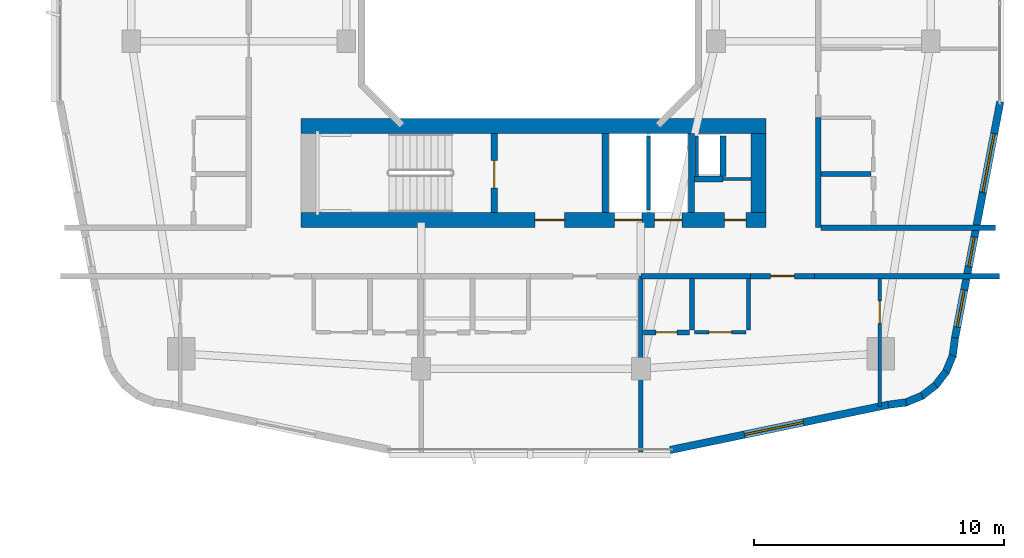
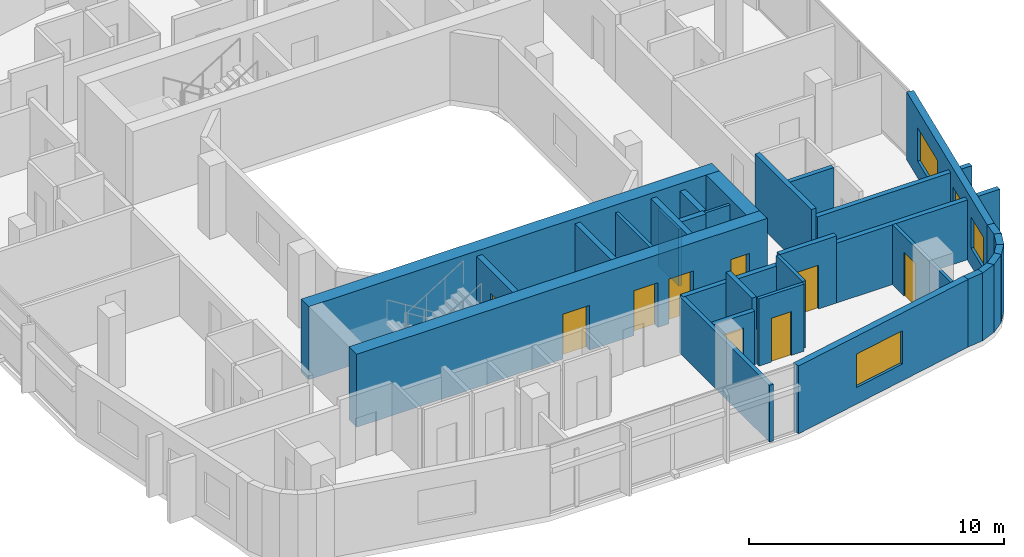
# One storey, part 18 of 26: 31 walls, 9 doors, 4 windows, 13 openings.
"""IFC4 building model written with IfcOpenShell, lengths in metres."""

from ifc_helpers import new_model, si_unit, derived_unit, direction, frame, frame_2d, origin, place, context, subcontext, project, spatial, rectangle, extrude, material, layer, layer_set, type_object, element, fill, save


model = new_model("IFC4")

# Units and contexts
model_context = context("Model", 3, precision=1e-05, world=origin(), true_north=direction((0.0, 1.0)))
body_context = subcontext(model_context, "Body", "Model", "MODEL_VIEW")
ifc_project = project(units=[si_unit("LENGTHUNIT", "METRE"), si_unit("AREAUNIT", "SQUARE_METRE"), si_unit("VOLUMEUNIT", "CUBIC_METRE"), si_unit("PLANEANGLEUNIT", "RADIAN"), si_unit("MASSUNIT", "GRAM", prefix="KILO"), derived_unit("THERMALTRANSMITTANCEUNIT", [(si_unit("POWERUNIT", "WATT"), 1), (si_unit("LENGTHUNIT", "METRE"), -2), (si_unit("THERMODYNAMICTEMPERATUREUNIT", "KELVIN"), -1)])], contexts=[model_context])

# Site, building, storey
site_placement = place(None, origin())
site = spatial("IfcSite", under=ifc_project, at=site_placement, CompositionType="ELEMENT")
building_placement = place(site_placement, origin())
building = spatial("IfcBuilding", under=site, at=building_placement, Name="Kivonza Crest Hotel", CompositionType="ELEMENT")
storey_placement = place(building_placement, frame((0.0, 0.0, 52.0)))
storey = spatial("IfcBuildingStorey", under=building, at=storey_placement, Name="L13", CompositionType="ELEMENT", Elevation=52.0)

# Walls
ifc_material_1 = material(Name="High-density acoustic masonry inter-tenancy wall", Category="masonry")
ifc_layer_1 = layer(ifc_material_1, 0.179931640625)
ifc_layer_set_1 = layer_set([ifc_layer_1], Name="High-density acoustic masonry inter-tenancy wall")
wall_type_1 = type_object("IfcWallType", Name="WL-ACOU-180", PredefinedType="SOLIDWALL", material=ifc_layer_set_1)
wall_1_placement = place(storey_placement, frame((81.39990234375, 5.06005859375, 0.0), z_axis=(0.0, 0.0, 1.0), x_axis=(0.0, 1.0, 0.0)))
element("IfcWall", 1, at=wall_1_placement, inside=storey, type_object=wall_type_1, Name="L13 interior partition WA-L13-T2S-DIV2", PredefinedType="SOLIDWALL", context=body_context, shape_type="SweptSolid", body=[
    extrude(rectangle(XDim=7.0400390625, YDim=0.179931640625, at=frame_2d((3.52001953125, 0.0))), origin(), (0.0, 0.0, 1.0), 2.72509765625),
])
ifc_material_2 = material(Name="Autoclaved aerated concrete blockwork", Category="masonry")
ifc_layer_2 = layer(ifc_material_2, 0.219970703125)
ifc_layer_set_2 = layer_set([ifc_layer_2], Name="Autoclaved aerated concrete blockwork")
wall_type_2 = type_object("IfcWallType", Name="WL-ACOU-220", PredefinedType="SOLIDWALL", material=ifc_layer_set_2)
wall_2_placement = place(storey_placement, frame((81.39990234375, 12.10009765625, 0.0), z_axis=(0.0, 0.0, 1.0), x_axis=(1.0, 0.0, 0.0)))
element("IfcWall", 2, at=wall_2_placement, inside=storey, type_object=wall_type_2, Name="L13 interior partition WA-L13-A05-LCORR", PredefinedType="SOLIDWALL", context=body_context, shape_type="SweptSolid", body=[
    extrude(rectangle(XDim=4.380126953125, YDim=0.219970703125, at=frame_2d((2.18994140625, 0.0))), origin(), (0.0, 0.0, 1.0), 2.72509765625),
])
wall_3_placement = place(storey_placement, frame((88.35009765625, 12.10009765625, 0.0), z_axis=(0.0, 0.0, 1.0), x_axis=(1.0, 0.0, 0.0)))
element("IfcWall", 3, at=wall_3_placement, inside=storey, type_object=wall_type_2, Name="L13 interior partition WA-L13-A05-RCORR", PredefinedType="SOLIDWALL", context=body_context, shape_type="SweptSolid", body=[
    extrude(rectangle(XDim=7.409912109375, YDim=0.219970703125, at=frame_2d((3.705078125, 0.0))), origin(), (0.0, 0.0, 1.0), 2.864990234375),
])

# Wall, opening, door
wall_4_placement = place(storey_placement, frame((85.780029296875, 12.10009765625, 0.0), z_axis=(0.0, 0.0, 1.0), x_axis=(1.0, 0.0, 0.0)))
wall_4 = element("IfcWall", 4, at=wall_4_placement, inside=storey, type_object=wall_type_2, Name="L13 interior partition WA-L13-A05-MCORR", PredefinedType="SOLIDWALL", context=body_context, shape_type="SweptSolid", body=[
    extrude(rectangle(XDim=2.570068359375, YDim=0.219970703125, at=frame_2d((1.28515625, 0.0))), origin(), (0.0, 0.0, 1.0), 3.219970703125),
])
opening_1_placement = place(wall_4_placement, frame((0.81005859375, 0.0, 0.0)))
opening_1 = element("IfcOpeningElement", 5, at=opening_1_placement, cuts=wall_4, Name="Opening DU-60", PredefinedType="OPENING", context=body_context, shape_type="SweptSolid", body=[
    extrude(rectangle(XDim=0.949951171875, YDim=2.10009765625, at=frame_2d((0.47509765625, 1.050048828125))), frame((0.0, 0.1201171875, 0.0), z_axis=(0.0, -1.0, 0.0), x_axis=(1.0, 0.0, 0.0)), (0.0, 0.0, 1.0), 0.239990234375),
])
ifc_material_3 = material(Name="Hardwood timber oak", Category="wood")
door_type_1 = type_object("IfcDoorType", Name="DR-UNIT-950", OperationType="NOTDEFINED", PredefinedType="DOOR", material=ifc_material_3)
door_1_placement = place(opening_1_placement, frame((0.949951171875, 0.0, 0.0), z_axis=(0.0, 0.0, 1.0), x_axis=(-1.0, 0.0, 0.0)))
door_1 = element("IfcDoor", 6, at=door_1_placement, inside=storey, type_object=door_type_1, Name="L13 A05 apartment entrance fire door", OperationType="SINGLE_SWING_LEFT", OverallHeight=2.10009765625, OverallWidth=0.949951171875, PredefinedType="DOOR", context=body_context, shape_type="SweptSolid", body=[
    extrude(rectangle(XDim=0.949951171875, YDim=2.10009765625, at=frame_2d((0.47509765625, 1.050048828125))), frame((0.0, 0.02490234375, 0.0), z_axis=(0.0, -1.0, 0.0), x_axis=(1.0, 0.0, 0.0)), (0.0, 0.0, 1.0), 0.050048828125),
])
fill(opening_1, door_1)

# Walls
wall_5_placement = place(storey_placement, frame((88.60009765625, 14.0400390625, 0.0), z_axis=(0.0, 0.0, 1.0), x_axis=(1.0, 0.0, 0.0)))
element("IfcWall", 7, at=wall_5_placement, inside=storey, type_object=wall_type_2, Name="L13 interior partition WA-L13-T2E-ENDS", PredefinedType="SOLIDWALL", context=body_context, shape_type="SweptSolid", body=[
    extrude(rectangle(XDim=7.0, YDim=0.219970703125, at=frame_2d((3.5, 0.0))), origin(), (0.0, 0.0, 1.0), 2.864990234375),
])
wall_6_placement = place(storey_placement, frame((88.5, 14.0400390625, 0.0), z_axis=(0.0, 0.0, 1.0), x_axis=(0.0, 1.0, 0.0)))
element("IfcWall", 8, at=wall_6_placement, inside=storey, type_object=wall_type_2, Name="L13 interior partition WA-L13-A08-BCORR", PredefinedType="SOLIDWALL", context=body_context, shape_type="SweptSolid", body=[
    extrude(rectangle(XDim=4.39990234375, YDim=0.219970703125, at=frame_2d((2.199951171875, 0.0))), origin(), (0.0, 0.0, 1.0), 3.219970703125),
])

# Wall, openings, doors
ifc_material_4 = material(Name="Concrete C60/75", Category="concrete")
ifc_layer_3 = layer(ifc_material_4, 0.60009765625)
ifc_layer_set_3 = layer_set([ifc_layer_3], Name="Concrete C60/75")
wall_type_3 = type_object("IfcWallType", Name="WL-CORE-600", PredefinedType="SHEAR", material=ifc_layer_set_3)
wall_7_placement = place(storey_placement, frame((67.800048828125, 14.340087890625, 0.0), z_axis=(0.0, 0.0, 1.0), x_axis=(1.0, 0.0, 0.0)))
wall_7 = element("IfcWall", 9, at=wall_7_placement, inside=storey, type_object=wall_type_3, Name="Core wall T2-S South L13", PredefinedType="SHEAR", context=body_context, shape_type="SweptSolid", body=[
    extrude(rectangle(XDim=18.599853515625, YDim=0.60009765625, at=frame_2d((9.2998046875, 0.0))), origin(), (0.0, 0.0, 1.0), 3.5),
])
opening_2_placement = place(wall_7_placement, frame((9.35009765625, 0.0, 0.0)))
opening_2 = element("IfcOpeningElement", 10, at=opening_2_placement, cuts=wall_7, Name="Opening DF-60", PredefinedType="OPENING", context=body_context, shape_type="SweptSolid", body=[
    extrude(rectangle(XDim=1.199951171875, YDim=2.14990234375, at=frame_2d((0.60009765625, 1.074951171875))), frame((0.0, 0.31005859375, 0.0), z_axis=(0.0, -1.0, 0.0), x_axis=(1.0, 0.0, 0.0)), (0.0, 0.0, 1.0), 0.6201171875),
])
opening_3_placement = place(wall_7_placement, frame((16.949951171875, 0.0, 0.0)))
opening_3 = element("IfcOpeningElement", 11, at=opening_3_placement, cuts=wall_7, Name="Opening DF-60R", PredefinedType="OPENING", context=body_context, shape_type="SweptSolid", body=[
    extrude(rectangle(XDim=0.85009765625, YDim=2.10009765625, at=frame_2d((0.425048828125, 1.050048828125))), frame((0.0, 0.31005859375, 0.0), z_axis=(0.0, -1.0, 0.0), x_axis=(1.0, 0.0, 0.0)), (0.0, 0.0, 1.0), 0.6201171875),
])
opening_4_placement = place(wall_7_placement, frame((12.550048828125, 0.0, 0.0)))
opening_4 = element("IfcOpeningElement", 12, at=opening_4_placement, cuts=wall_7, Name="Opening LD-120", PredefinedType="OPENING", context=body_context, shape_type="SweptSolid", body=[
    extrude(rectangle(XDim=1.10009765625, YDim=2.14990234375, at=frame_2d((0.550048828125, 1.074951171875))), frame((0.0, 0.31005859375, 0.0), z_axis=(0.0, -1.0, 0.0), x_axis=(1.0, 0.0, 0.0)), (0.0, 0.0, 1.0), 0.6201171875),
])
opening_5_placement = place(wall_7_placement, frame((14.14990234375, 0.0, 0.0)))
opening_5 = element("IfcOpeningElement", 13, at=opening_5_placement, cuts=wall_7, Name="Opening LD-120", PredefinedType="OPENING", context=body_context, shape_type="SweptSolid", body=[
    extrude(rectangle(XDim=1.10009765625, YDim=2.14990234375, at=frame_2d((0.550048828125, 1.074951171875))), frame((0.0, 0.31005859375, 0.0), z_axis=(0.0, -1.0, 0.0), x_axis=(1.0, 0.0, 0.0)), (0.0, 0.0, 1.0), 0.6201171875),
])
door_type_2 = type_object("IfcDoorType", Name="DR-FD60-1200", OperationType="NOTDEFINED", PredefinedType="DOOR", material=ifc_material_3)
door_2_placement = place(opening_2_placement, frame((1.199951171875, 0.0, 0.0), z_axis=(0.0, 0.0, 1.0), x_axis=(-1.0, 0.0, 0.0)))
door_2 = element("IfcDoor", 14, at=door_2_placement, inside=storey, type_object=door_type_2, Name="L13 T2-S firefighting lobby fire door", OperationType="SINGLE_SWING_LEFT", OverallHeight=2.14990234375, OverallWidth=1.199951171875, PredefinedType="DOOR", context=body_context, shape_type="SweptSolid", body=[
    extrude(rectangle(XDim=1.199951171875, YDim=2.14990234375, at=frame_2d((0.60009765625, 1.074951171875))), frame((0.0, 0.02490234375, 0.0), z_axis=(0.0, -1.0, 0.0), x_axis=(1.0, 0.0, 0.0)), (0.0, 0.0, 1.0), 0.050048828125),
])
fill(opening_2, door_2)
door_type_3 = type_object("IfcDoorType", Name="DR-FD60-850", OperationType="NOTDEFINED", PredefinedType="DOOR", material=ifc_material_3)
door_3_placement = place(opening_3_placement, frame((0.85009765625, 0.0, 0.0), z_axis=(0.0, 0.0, 1.0), x_axis=(-1.0, 0.0, 0.0)))
door_3 = element("IfcDoor", 15, at=door_3_placement, inside=storey, type_object=door_type_3, Name="L13 T2-S core room door", OperationType="SINGLE_SWING_RIGHT", OverallHeight=2.10009765625, OverallWidth=0.85009765625, PredefinedType="DOOR", context=body_context, shape_type="SweptSolid", body=[
    extrude(rectangle(XDim=0.85009765625, YDim=2.10009765625, at=frame_2d((0.425048828125, 1.050048828125))), frame((0.0, 0.02490234375, 0.0), z_axis=(0.0, -1.0, 0.0), x_axis=(1.0, 0.0, 0.0)), (0.0, 0.0, 1.0), 0.050048828125),
])
fill(opening_3, door_3)
ifc_material_5 = material(Name="Stainless steel", Category="steel")
door_type_4 = type_object("IfcDoorType", Name="DR-LD120-1100", OperationType="NOTDEFINED", PredefinedType="DOOR", material=ifc_material_5)
door_4_placement = place(opening_4_placement, frame((1.10009765625, 0.0, 0.0), z_axis=(0.0, 0.0, 1.0), x_axis=(-1.0, 0.0, 0.0)))
door_4 = element("IfcDoor", 16, at=door_4_placement, inside=storey, type_object=door_type_4, Name="L13 PL-T2-1 passenger lift sliding landing door", OperationType="DOUBLE_DOOR_SLIDING", OverallHeight=2.14990234375, OverallWidth=1.10009765625, PredefinedType="DOOR", context=body_context, shape_type="SweptSolid", body=[
    extrude(rectangle(XDim=1.10009765625, YDim=2.14990234375, at=frame_2d((0.550048828125, 1.074951171875))), frame((0.0, 0.02490234375, 0.0), z_axis=(0.0, -1.0, 0.0), x_axis=(1.0, 0.0, 0.0)), (0.0, 0.0, 1.0), 0.050048828125),
])
fill(opening_4, door_4)
door_5_placement = place(opening_5_placement, frame((1.10009765625, 0.0, 0.0), z_axis=(0.0, 0.0, 1.0), x_axis=(-1.0, 0.0, 0.0)))
door_5 = element("IfcDoor", 17, at=door_5_placement, inside=storey, type_object=door_type_4, Name="L13 PL-T2-2 passenger lift sliding landing door", OperationType="DOUBLE_DOOR_SLIDING", OverallHeight=2.14990234375, OverallWidth=1.10009765625, PredefinedType="DOOR", context=body_context, shape_type="SweptSolid", body=[
    extrude(rectangle(XDim=1.10009765625, YDim=2.14990234375, at=frame_2d((0.550048828125, 1.074951171875))), frame((0.0, 0.02490234375, 0.0), z_axis=(0.0, -1.0, 0.0), x_axis=(1.0, 0.0, 0.0)), (0.0, 0.0, 1.0), 0.050048828125),
])
fill(opening_5, door_5)

# Walls
wall_8_placement = place(storey_placement, frame((67.800048828125, 18.10009765625, 0.0), z_axis=(0.0, 0.0, 1.0), x_axis=(1.0, 0.0, 0.0)))
element("IfcWall", 18, at=wall_8_placement, inside=storey, type_object=wall_type_3, Name="Core wall T2-S North L13", PredefinedType="SHEAR", context=body_context, shape_type="SweptSolid", body=[
    extrude(rectangle(XDim=18.599853515625, YDim=0.60009765625, at=frame_2d((9.2998046875, 0.0))), origin(), (0.0, 0.0, 1.0), 3.5),
])
wall_9_placement = place(storey_placement, frame((86.10009765625, 14.639892578125, 0.0), z_axis=(0.0, 0.0, 1.0), x_axis=(0.0, 1.0, 0.0)))
element("IfcWall", 19, at=wall_9_placement, inside=storey, type_object=wall_type_3, Name="Core wall T2-S East L13", PredefinedType="SHEAR", context=body_context, shape_type="SweptSolid", body=[
    extrude(rectangle(XDim=3.16015625, YDim=0.60009765625, at=frame_2d((1.580078125, 0.0))), origin(), (0.0, 0.0, 1.0), 3.5),
])

# Wall, opening, window
ifc_material_6 = material(Name="Precast concrete C40/50", Category="concrete")
ifc_layer_4 = layer(ifc_material_6, 0.300048828125)
ifc_layer_set_4 = layer_set([ifc_layer_4], Name="Precast concrete C40/50")
wall_type_4 = type_object("IfcWallType", Name="WL-EXT-300", PredefinedType="STANDARD", material=ifc_layer_set_4)
wall_10_placement = place(storey_placement, frame((82.56396484375, 5.135986328125, 0.0), z_axis=(0.0, 0.0, 1.0), x_axis=(0.979128391325, 0.203242695569, 0.0)))
wall_10 = element("IfcWall", 20, at=wall_10_placement, inside=storey, type_object=wall_type_4, Name="L13 T2 exterior insulated wall 9", PredefinedType="STANDARD", context=body_context, shape_type="SweptSolid", body=[
    extrude(rectangle(XDim=8.92041015625, YDim=0.300048828125, at=frame_2d((4.460205078125, 0.0))), origin(), (0.0, 0.0, 1.0), 3.25),
])
opening_6_placement = place(wall_10_placement, frame((3.048095703125, 0.0, 0.800048828125)))
opening_6 = element("IfcOpeningElement", 21, at=opening_6_placement, cuts=wall_10, Name="Opening WN-05", PredefinedType="OPENING", context=body_context, shape_type="SweptSolid", body=[
    extrude(rectangle(XDim=2.39990234375, YDim=1.60009765625, at=frame_2d((1.199951171875, 0.800048828125))), frame((0.0, 0.16015625, 0.0), z_axis=(0.0, -1.0, 0.0), x_axis=(1.0, 0.0, 0.0)), (0.0, 0.0, 1.0), 0.320068359375),
])
ifc_material_7 = material(Name="Thermally broken bronze aluminium and low-E double glazing", Category="aluminium")
window_type_1 = type_object("IfcWindowType", Name="WN-240x160", PartitioningType="TRIPLE_PANEL_VERTICAL", PredefinedType="WINDOW", material=ifc_material_7)
window_1_placement = place(opening_6_placement, origin())
window_1 = element("IfcWindow", 22, at=window_1_placement, inside=storey, type_object=window_type_1, Name="L13 T2 facade window 9", OverallHeight=1.60009765625, OverallWidth=2.39990234375, PartitioningType="SINGLE_PANEL", PredefinedType="WINDOW", context=body_context, shape_type="SweptSolid", body=[
    extrude(rectangle(XDim=2.39990234375, YDim=1.60009765625, at=frame_2d((1.199951171875, 0.800048828125))), frame((0.0, 0.030029296875, 0.0), z_axis=(0.0, -1.0, 0.0), x_axis=(1.0, 0.0, 0.0)), (0.0, 0.0, 1.0), 0.06005859375),
])
fill(opening_6, window_1)

# Walls
wall_11_placement = place(storey_placement, frame((91.29296875, 6.947998046875, 0.0), z_axis=(0.0, 0.0, 1.0), x_axis=(0.991486167159, 0.13021205909, 0.0)))
element("IfcWall", 23, at=wall_11_placement, inside=storey, type_object=wall_type_4, Name="L13 T2 exterior insulated wall 10", PredefinedType="STANDARD", context=body_context, shape_type="SweptSolid", body=[
    extrude(rectangle(XDim=0.729248046875, YDim=0.300048828125, at=frame_2d((0.36474609375, 0.0))), origin(), (0.0, 0.0, 1.0), 3.25),
])
for number, where, z_axis, x_axis, name in (
    (24, (91.965087890625, 7.02392578125, 0.0), (0.0, 0.0, 1.0), (0.923521684703, 0.383546213491, 0.0), "L13 T2 exterior insulated wall 11"),
    (25, (92.60888671875, 7.279052734375, 0.0), (0.0, 0.0, 1.0), (0.79363269798, 0.608397189915, 0.0), "L13 T2 exterior insulated wall 12"),
    (26, (93.166015625, 7.69091796875, 0.0), (0.0, 0.0, 1.0), (0.608603261071, 0.793474681772, 0.0), "L13 T2 exterior insulated wall 13"),
):
    element("IfcWall", number, at=place(storey_placement, frame(where, z_axis=z_axis, x_axis=x_axis)), inside=storey, type_object=wall_type_4, Name=name, PredefinedType="STANDARD", context=body_context, shape_type="SweptSolid", body=[
        extrude(rectangle(XDim=0.74609375, YDim=0.300048828125, at=frame_2d((0.373046875, 0.0))), origin(), (0.0, 0.0, 1.0), 3.25),
    ])
wall_12_placement = place(storey_placement, frame((93.595947265625, 8.23388671875, 0.0), z_axis=(0.0, 0.0, 1.0), x_axis=(0.383430326427, 0.923569805037, 0.0)))
element("IfcWall", 27, at=wall_12_placement, inside=storey, type_object=wall_type_4, Name="L13 T2 exterior insulated wall 14", PredefinedType="STANDARD", context=body_context, shape_type="SweptSolid", body=[
    extrude(rectangle(XDim=0.746337890625, YDim=0.300048828125, at=frame_2d((0.373046875, 0.0))), origin(), (0.0, 0.0, 1.0), 3.25),
])
wall_13_placement = place(storey_placement, frame((93.873046875, 8.868896484375, 0.0), z_axis=(0.0, 0.0, 1.0), x_axis=(0.129339184068, 0.991600411186, 0.0)))
element("IfcWall", 28, at=wall_13_placement, inside=storey, type_object=wall_type_4, Name="L13 T2 exterior insulated wall 15", PredefinedType="STANDARD", context=body_context, shape_type="SweptSolid", body=[
    extrude(rectangle(XDim=0.764404296875, YDim=0.300048828125, at=frame_2d((0.38232421875, 0.0))), origin(), (0.0, 0.0, 1.0), 3.25),
])

# Wall, openings, windows
wall_14_placement = place(storey_placement, frame((93.970947265625, 9.6201171875, 0.0), z_axis=(0.0, 0.0, 1.0), x_axis=(0.188087874316, 0.982152203854, 0.0)))
wall_14 = element("IfcWall", 29, at=wall_14_placement, inside=storey, type_object=wall_type_4, Name="L13 T2 exterior insulated wall 16", PredefinedType="STANDARD", context=body_context, shape_type="SweptSolid", body=[
    extrude(rectangle(XDim=9.6337890625, YDim=0.300048828125, at=frame_2d((4.81689453125, 0.0))), origin(), (0.0, 0.0, 1.0), 3.25),
])
opening_7_placement = place(wall_14_placement, frame((0.451904296875, 0.0, 0.85009765625)))
opening_7 = element("IfcOpeningElement", 30, at=opening_7_placement, cuts=wall_14, Name="Opening WN-02", PredefinedType="OPENING", context=body_context, shape_type="SweptSolid", body=[
    extrude(rectangle(XDim=1.5, YDim=1.5, at=frame_2d((0.75, 0.75))), frame((0.0, 0.16015625, 0.0), z_axis=(0.0, -1.0, 0.0), x_axis=(1.0, 0.0, 0.0)), (0.0, 0.0, 1.0), 0.320068359375),
])
opening_8_placement = place(wall_14_placement, frame((2.9130859375, 0.0, 0.85009765625)))
opening_8 = element("IfcOpeningElement", 31, at=opening_8_placement, cuts=wall_14, Name="Opening WN-01", PredefinedType="OPENING", context=body_context, shape_type="SweptSolid", body=[
    extrude(rectangle(XDim=1.199951171875, YDim=1.5, at=frame_2d((0.60009765625, 0.75))), frame((0.0, 0.16015625, 0.0), z_axis=(0.0, -1.0, 0.0), x_axis=(1.0, 0.0, 0.0)), (0.0, 0.0, 1.0), 0.320068359375),
])
opening_9_placement = place(wall_14_placement, frame((5.927978515625, 0.0, 0.800048828125)))
opening_9 = element("IfcOpeningElement", 32, at=opening_9_placement, cuts=wall_14, Name="Opening WN-05", PredefinedType="OPENING", context=body_context, shape_type="SweptSolid", body=[
    extrude(rectangle(XDim=2.39990234375, YDim=1.60009765625, at=frame_2d((1.199951171875, 0.800048828125))), frame((0.0, 0.16015625, 0.0), z_axis=(0.0, -1.0, 0.0), x_axis=(1.0, 0.0, 0.0)), (0.0, 0.0, 1.0), 0.320068359375),
])
window_type_2 = type_object("IfcWindowType", Name="WN-120x150", PartitioningType="SINGLE_PANEL", PredefinedType="WINDOW", material=ifc_material_7)
window_2_placement = place(opening_8_placement, origin())
window_2 = element("IfcWindow", 33, at=window_2_placement, inside=storey, type_object=window_type_2, Name="L13 T2 facade window 16 bay 2", OverallHeight=1.5, OverallWidth=1.199951171875, PartitioningType="SINGLE_PANEL", PredefinedType="WINDOW", context=body_context, shape_type="SweptSolid", body=[
    extrude(rectangle(XDim=1.199951171875, YDim=1.5, at=frame_2d((0.60009765625, 0.75))), frame((0.0, 0.030029296875, 0.0), z_axis=(0.0, -1.0, 0.0), x_axis=(1.0, 0.0, 0.0)), (0.0, 0.0, 1.0), 0.06005859375),
])
fill(opening_8, window_2)
window_type_3 = type_object("IfcWindowType", Name="WN-150x150", PartitioningType="DOUBLE_PANEL_VERTICAL", PredefinedType="WINDOW", material=ifc_material_7)
window_3_placement = place(opening_7_placement, origin())
window_3 = element("IfcWindow", 34, at=window_3_placement, inside=storey, type_object=window_type_3, Name="L13 T2 facade window 16 bay 1", OverallHeight=1.5, OverallWidth=1.5, PartitioningType="SINGLE_PANEL", PredefinedType="WINDOW", context=body_context, shape_type="SweptSolid", body=[
    extrude(rectangle(XDim=1.5, YDim=1.5, at=frame_2d((0.75, 0.75))), frame((0.0, 0.030029296875, 0.0), z_axis=(0.0, -1.0, 0.0), x_axis=(1.0, 0.0, 0.0)), (0.0, 0.0, 1.0), 0.06005859375),
])
fill(opening_7, window_3)
window_4_placement = place(opening_9_placement, origin())
window_4 = element("IfcWindow", 35, at=window_4_placement, inside=storey, type_object=window_type_1, Name="L13 T2 facade window 16 bay 3", OverallHeight=1.60009765625, OverallWidth=2.39990234375, PartitioningType="SINGLE_PANEL", PredefinedType="WINDOW", context=body_context, shape_type="SweptSolid", body=[
    extrude(rectangle(XDim=2.39990234375, YDim=1.60009765625, at=frame_2d((1.199951171875, 0.800048828125))), frame((0.0, 0.030029296875, 0.0), z_axis=(0.0, -1.0, 0.0), x_axis=(1.0, 0.0, 0.0)), (0.0, 0.0, 1.0), 0.06005859375),
])
fill(opening_9, window_4)

# Walls
ifc_material_8 = material(Name="Concrete blockwork fire-compartment wall", Category="masonry")
ifc_layer_5 = layer(ifc_material_8, 0.25)
ifc_layer_set_5 = layer_set([ifc_layer_5], Name="Concrete blockwork fire-compartment wall")
wall_type_5 = type_object("IfcWallType", Name="WL-FIRE-250", PredefinedType="SOLIDWALL", material=ifc_layer_set_5)
wall_15_placement = place(storey_placement, frame((84.679931640625, 16.080078125, 0.0), z_axis=(0.0, 0.0, 1.0), x_axis=(0.0, 1.0, 0.0)))
element("IfcWall", 36, at=wall_15_placement, inside=storey, type_object=wall_type_5, Name="L13 interior partition WA-L13-T2-S-MEPR-E", PredefinedType="SOLIDWALL", context=body_context, shape_type="SweptSolid", body=[
    extrude(rectangle(XDim=1.619873046875, YDim=0.25, at=frame_2d((0.81005859375, 0.0))), origin(), (0.0, 0.0, 1.0), 3.219970703125),
])
wall_16_placement = place(storey_placement, frame((83.550048828125, 15.97998046875, 0.0), z_axis=(0.0, 0.0, 1.0), x_axis=(1.0, 0.0, 0.0)))
element("IfcWall", 37, at=wall_16_placement, inside=storey, type_object=wall_type_5, Name="L13 interior partition WA-L13-T2-S-MEPR-H", PredefinedType="SOLIDWALL", context=body_context, shape_type="SweptSolid", body=[
    extrude(rectangle(XDim=1.1298828125, YDim=0.25, at=frame_2d((0.56494140625, 0.0))), origin(), (0.0, 0.0, 1.0), 3.219970703125),
])
ifc_material_9 = material(Name="Metal-stud gypsum board partition", Category="gypsum")
ifc_layer_6 = layer(ifc_material_9, 0.125)
ifc_layer_set_6 = layer_set([ifc_layer_6], Name="Metal-stud gypsum board partition")
wall_type_6 = type_object("IfcWallType", Name="WL-PART-125", PredefinedType="PARTITIONING", material=ifc_layer_set_6)
wall_17_placement = place(storey_placement, frame((84.679931640625, 15.97998046875, 0.0), z_axis=(0.0, 0.0, 1.0), x_axis=(1.0, 0.0, 0.0)))
element("IfcWall", 38, at=wall_17_placement, inside=storey, type_object=wall_type_6, Name="L13 interior partition WP-L13-T2-S-T2H", PredefinedType="PARTITIONING", context=body_context, shape_type="SweptSolid", body=[
    extrude(rectangle(XDim=1.1201171875, YDim=0.125, at=frame_2d((0.56005859375, 0.0))), origin(), (0.0, 0.0, 1.0), 3.219970703125),
])
ifc_material_10 = material(Name="Twin-stud acoustic gypsum board partition", Category="gypsum")
ifc_layer_7 = layer(ifc_material_10, 0.14990234375)
ifc_layer_set_7 = layer_set([ifc_layer_7], Name="Twin-stud acoustic gypsum board partition")
wall_type_7 = type_object("IfcWallType", Name="WL-PART-150", PredefinedType="PARTITIONING", material=ifc_layer_set_7)
wall_18_placement = place(storey_placement, frame((83.6298828125, 16.080078125, 0.0), z_axis=(0.0, 0.0, 1.0), x_axis=(0.0, 1.0, 0.0)))
element("IfcWall", 39, at=wall_18_placement, inside=storey, type_object=wall_type_7, Name="L13 interior partition WA-L13-T2-S-MEPR-W", PredefinedType="PARTITIONING", context=body_context, shape_type="SweptSolid", body=[
    extrude(rectangle(XDim=1.619873046875, YDim=0.14990234375, at=frame_2d((0.81005859375, 0.0))), origin(), (0.0, 0.0, 1.0), 2.72509765625),
])
wall_19_placement = place(storey_placement, frame((81.699951171875, 14.739990234375, 0.0), z_axis=(0.0, 0.0, 1.0), x_axis=(0.0, 1.0, 0.0)))
element("IfcWall", 40, at=wall_19_placement, inside=storey, type_object=wall_type_7, Name="L13 interior partition WP-L13-T2-S-BSH-1", PredefinedType="PARTITIONING", context=body_context, shape_type="SweptSolid", body=[
    extrude(rectangle(XDim=2.9599609375, YDim=0.14990234375, at=frame_2d((1.47998046875, 0.0))), origin(), (0.0, 0.0, 1.0), 3.219970703125),
])

# Wall, opening, door
wall_20_placement = place(storey_placement, frame((90.9599609375, 6.886962890625, 0.0), z_axis=(0.0, 0.0, 1.0), x_axis=(0.0, 1.0, 0.0)))
wall_20 = element("IfcWall", 41, at=wall_20_placement, inside=storey, type_object=wall_type_7, Name="L13 interior partition WP-L13-A05-BDW1", PredefinedType="PARTITIONING", context=body_context, shape_type="SweptSolid", body=[
    extrude(rectangle(XDim=5.113037109375, YDim=0.14990234375, at=frame_2d((2.556640625, 0.0))), origin(), (0.0, 0.0, 1.0), 2.864990234375),
])
opening_10_placement = place(wall_20_placement, frame((3.31005859375, 0.0, 0.0)))
opening_10 = element("IfcOpeningElement", 42, at=opening_10_placement, cuts=wall_20, Name="Opening DI-90", PredefinedType="OPENING", context=body_context, shape_type="SweptSolid", body=[
    extrude(rectangle(XDim=0.89990234375, YDim=2.10009765625, at=frame_2d((0.449951171875, 1.050048828125))), frame((0.0, 0.0849609375, 0.0), z_axis=(0.0, -1.0, 0.0), x_axis=(1.0, 0.0, 0.0)), (0.0, 0.0, 1.0), 0.169921875),
])
door_type_5 = type_object("IfcDoorType", Name="DR-INT-900", OperationType="NOTDEFINED", PredefinedType="DOOR", material=ifc_material_3)
door_6_placement = place(opening_10_placement, origin())
door_6 = element("IfcDoor", 43, at=door_6_placement, inside=storey, type_object=door_type_5, Name="L13 A05 bedroom 1 door", OperationType="SINGLE_SWING_RIGHT", OverallHeight=2.10009765625, OverallWidth=0.89990234375, PredefinedType="DOOR", context=body_context, shape_type="SweptSolid", body=[
    extrude(rectangle(XDim=0.89990234375, YDim=2.10009765625, at=frame_2d((0.449951171875, 1.050048828125))), frame((0.0, 0.02490234375, 0.0), z_axis=(0.0, -1.0, 0.0), x_axis=(1.0, 0.0, 0.0)), (0.0, 0.0, 1.0), 0.050048828125),
])
fill(opening_10, door_6)

# Wall
wall_21_placement = place(storey_placement, frame((85.699951171875, 9.949951171875, 0.0), z_axis=(0.0, 0.0, 1.0), x_axis=(0.0, 1.0, 0.0)))
element("IfcWall", 44, at=wall_21_placement, inside=storey, type_object=wall_type_7, Name="L13 interior partition WP-L13-A05-KF", PredefinedType="PARTITIONING", context=body_context, shape_type="SweptSolid", body=[
    extrude(rectangle(XDim=2.050048828125, YDim=0.14990234375, at=frame_2d((1.02490234375, 0.0))), origin(), (0.0, 0.0, 1.0), 3.219970703125),
])

# Wall, opening, door
wall_22_placement = place(storey_placement, frame((83.550048828125, 9.85009765625, 0.0), z_axis=(0.0, 0.0, 1.0), x_axis=(1.0, 0.0, 0.0)))
wall_22 = element("IfcWall", 45, at=wall_22_placement, inside=storey, type_object=wall_type_7, Name="L13 interior partition WP-L13-A05-KSVC", PredefinedType="PARTITIONING", context=body_context, shape_type="SweptSolid", body=[
    extrude(rectangle(XDim=2.050048828125, YDim=0.14990234375, at=frame_2d((1.02490234375, 0.0))), origin(), (0.0, 0.0, 1.0), 3.219970703125),
])
opening_11_placement = place(wall_22_placement, frame((0.574951171875, 0.0, 0.0)))
opening_11 = element("IfcOpeningElement", 46, at=opening_11_placement, cuts=wall_22, Name="Opening DI-90", PredefinedType="OPENING", context=body_context, shape_type="SweptSolid", body=[
    extrude(rectangle(XDim=0.89990234375, YDim=2.10009765625, at=frame_2d((0.449951171875, 1.050048828125))), frame((0.0, 0.0849609375, 0.0), z_axis=(0.0, -1.0, 0.0), x_axis=(1.0, 0.0, 0.0)), (0.0, 0.0, 1.0), 0.169921875),
])
door_7_placement = place(opening_11_placement, frame((0.89990234375, 0.0, 0.0), z_axis=(0.0, 0.0, 1.0), x_axis=(-1.0, 0.0, 0.0)))
door_7 = element("IfcDoor", 47, at=door_7_placement, inside=storey, type_object=door_type_5, Name="L13 A05 apartment kitchen door", OperationType="SINGLE_SWING_LEFT", OverallHeight=2.10009765625, OverallWidth=0.89990234375, PredefinedType="DOOR", context=body_context, shape_type="SweptSolid", body=[
    extrude(rectangle(XDim=0.89990234375, YDim=2.10009765625, at=frame_2d((0.449951171875, 1.050048828125))), frame((0.0, 0.02490234375, 0.0), z_axis=(0.0, -1.0, 0.0), x_axis=(1.0, 0.0, 0.0)), (0.0, 0.0, 1.0), 0.050048828125),
])
fill(opening_11, door_7)

# Wall
ifc_material_11 = material(Name="Moisture-resistant plumbing chase partition wall", Category="gypsum")
ifc_layer_8 = layer(ifc_material_11, 0.199951171875)
ifc_layer_set_8 = layer_set([ifc_layer_8], Name="Moisture-resistant plumbing chase partition wall")
wall_type_8 = type_object("IfcWallType", Name="WL-PLUMB-200", PredefinedType="PLUMBINGWALL", material=ifc_layer_set_8)
wall_23_placement = place(storey_placement, frame((83.449951171875, 9.949951171875, 0.0), z_axis=(0.0, 0.0, 1.0), x_axis=(0.0, 1.0, 0.0)))
element("IfcWall", 48, at=wall_23_placement, inside=storey, type_object=wall_type_8, Name="L13 interior partition WW-L13-A05-BK", PredefinedType="PLUMBINGWALL", context=body_context, shape_type="SweptSolid", body=[
    extrude(rectangle(XDim=2.050048828125, YDim=0.199951171875, at=frame_2d((1.02490234375, 0.0))), origin(), (0.0, 0.0, 1.0), 3.219970703125),
])

# Wall, opening, door
wall_24_placement = place(storey_placement, frame((81.5, 9.85009765625, 0.0), z_axis=(0.0, 0.0, 1.0), x_axis=(1.0, 0.0, 0.0)))
wall_24 = element("IfcWall", 49, at=wall_24_placement, inside=storey, type_object=wall_type_8, Name="L13 interior partition WW-L13-A05-BSVC", PredefinedType="PLUMBINGWALL", context=body_context, shape_type="SweptSolid", body=[
    extrude(rectangle(XDim=1.85009765625, YDim=0.199951171875, at=frame_2d((0.925048828125, 0.0))), origin(), (0.0, 0.0, 1.0), 2.72509765625),
])
opening_12_placement = place(wall_24_placement, frame((0.5, 0.0, 0.0)))
opening_12 = element("IfcOpeningElement", 50, at=opening_12_placement, cuts=wall_24, Name="Opening DI-85", PredefinedType="OPENING", context=body_context, shape_type="SweptSolid", body=[
    extrude(rectangle(XDim=0.85009765625, YDim=2.10009765625, at=frame_2d((0.425048828125, 1.050048828125))), frame((0.0, 0.10986328125, 0.0), z_axis=(0.0, -1.0, 0.0), x_axis=(1.0, 0.0, 0.0)), (0.0, 0.0, 1.0), 0.219970703125),
])
door_type_6 = type_object("IfcDoorType", Name="DR-INT-850", OperationType="NOTDEFINED", PredefinedType="DOOR", material=ifc_material_3)
door_8_placement = place(opening_12_placement, frame((0.85009765625, 0.0, 0.0), z_axis=(0.0, 0.0, 1.0), x_axis=(-1.0, 0.0, 0.0)))
door_8 = element("IfcDoor", 51, at=door_8_placement, inside=storey, type_object=door_type_6, Name="L13 A05 apartment bathroom door", OperationType="SINGLE_SWING_RIGHT", OverallHeight=2.10009765625, OverallWidth=0.85009765625, PredefinedType="DOOR", context=body_context, shape_type="SweptSolid", body=[
    extrude(rectangle(XDim=0.85009765625, YDim=2.10009765625, at=frame_2d((0.425048828125, 1.050048828125))), frame((0.0, 0.02490234375, 0.0), z_axis=(0.0, -1.0, 0.0), x_axis=(1.0, 0.0, 0.0)), (0.0, 0.0, 1.0), 0.050048828125),
])
fill(opening_12, door_8)

# Wall
wall_25_placement = place(storey_placement, frame((88.60009765625, 16.18994140625, 0.0), z_axis=(0.0, 0.0, 1.0), x_axis=(1.0, 0.0, 0.0)))
element("IfcWall", 52, at=wall_25_placement, inside=storey, type_object=wall_type_8, Name="L13 interior partition WW-L13-A08-BK", PredefinedType="PLUMBINGWALL", context=body_context, shape_type="SweptSolid", body=[
    extrude(rectangle(XDim=2.0, YDim=0.199951171875, at=frame_2d((1.0, 0.0))), origin(), (0.0, 0.0, 1.0), 3.219970703125),
])

# Wall, opening, door
ifc_material_12 = material(Name="Concrete C50/60", Category="concrete")
ifc_layer_9 = layer(ifc_material_12, 0.25)
ifc_layer_set_9 = layer_set([ifc_layer_9], Name="Concrete C50/60")
wall_type_9 = type_object("IfcWallType", Name="WL-SHAFT-250", PredefinedType="STANDARD", material=ifc_layer_set_9)
wall_26_placement = place(storey_placement, frame((75.52490234375, 14.639892578125, 0.0), z_axis=(0.0, 0.0, 1.0), x_axis=(0.0, 1.0, 0.0)))
wall_26 = element("IfcWall", 53, at=wall_26_placement, inside=storey, type_object=wall_type_9, Name="Core shaft wall T2-S STAIR L13", PredefinedType="STANDARD", context=body_context, shape_type="SweptSolid", body=[
    extrude(rectangle(XDim=3.16015625, YDim=0.25, at=frame_2d((1.580078125, 0.0))), origin(), (0.0, 0.0, 1.0), 3.25),
])
opening_13_placement = place(wall_26_placement, frame((0.97998046875, 0.0, 0.0)))
opening_13 = element("IfcOpeningElement", 54, at=opening_13_placement, cuts=wall_26, Name="Opening DF-120", PredefinedType="OPENING", context=body_context, shape_type="SweptSolid", body=[
    extrude(rectangle(XDim=1.10009765625, YDim=2.14990234375, at=frame_2d((0.550048828125, 1.074951171875))), frame((0.0, 0.135009765625, 0.0), z_axis=(0.0, -1.0, 0.0), x_axis=(1.0, 0.0, 0.0)), (0.0, 0.0, 1.0), 0.27001953125),
])
ifc_material_13 = material(Name="Galvanised steel", Category="steel")
door_type_7 = type_object("IfcDoorType", Name="DR-FD120-1100", OperationType="NOTDEFINED", PredefinedType="DOOR", material=ifc_material_13)
door_9_placement = place(opening_13_placement, frame((1.10009765625, 0.0, 0.0), z_axis=(0.0, 0.0, 1.0), x_axis=(-1.0, 0.0, 0.0)))
door_9 = element("IfcDoor", 55, at=door_9_placement, inside=storey, type_object=door_type_7, Name="L13 T2-S stair fire door", OperationType="SINGLE_SWING_RIGHT", OverallHeight=2.14990234375, OverallWidth=1.10009765625, PredefinedType="DOOR", context=body_context, shape_type="SweptSolid", body=[
    extrude(rectangle(XDim=1.10009765625, YDim=2.14990234375, at=frame_2d((0.550048828125, 1.074951171875))), frame((0.0, 0.02490234375, 0.0), z_axis=(0.0, -1.0, 0.0), x_axis=(1.0, 0.0, 0.0)), (0.0, 0.0, 1.0), 0.050048828125),
])
fill(opening_13, door_9)

# Walls
for number, where, z_axis, x_axis, name in (
    (56, (79.97509765625, 14.639892578125, 0.0), (0.0, 0.0, 1.0), (0.0, 1.0, 0.0), "Core shaft wall T2-S BANK-W L13"),
    (57, (83.425048828125, 14.639892578125, 0.0), (0.0, 0.0, 1.0), (0.0, 1.0, 0.0), "Core shaft wall T2-S BANK-E L13"),
):
    element("IfcWall", number, at=place(storey_placement, frame(where, z_axis=z_axis, x_axis=x_axis)), inside=storey, type_object=wall_type_9, Name=name, PredefinedType="STANDARD", context=body_context, shape_type="SweptSolid", body=[
        extrude(rectangle(XDim=3.16015625, YDim=0.25, at=frame_2d((1.580078125, 0.0))), origin(), (0.0, 0.0, 1.0), 3.25),
    ])

save(model, "model.ifc")
